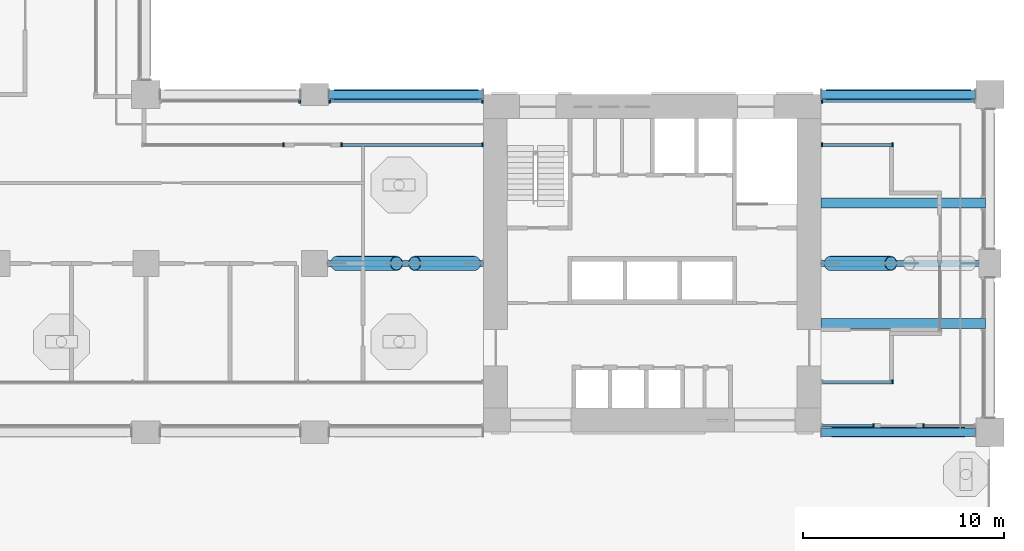
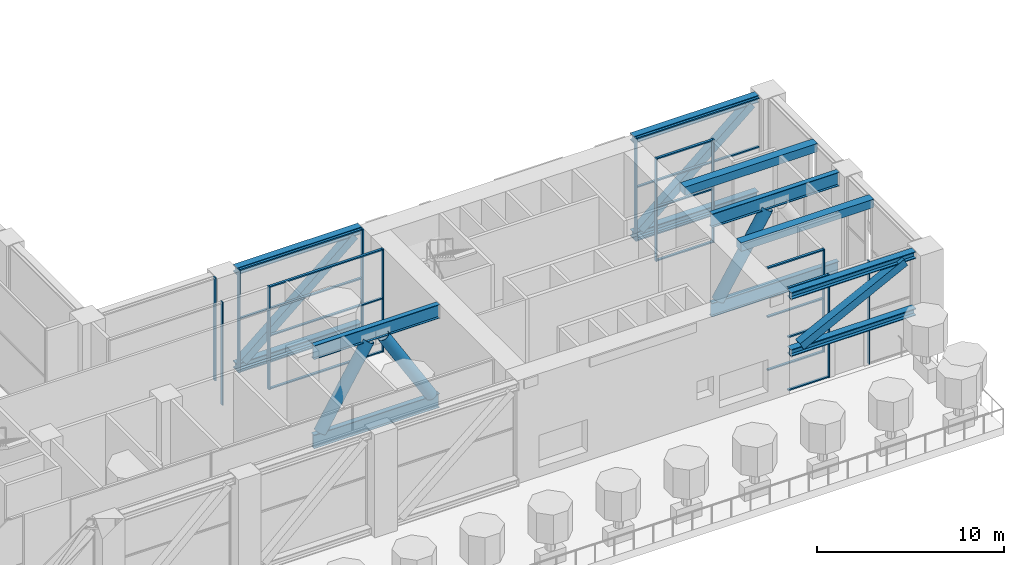
# One storey, part 4 of 28: 46 members, 2 beams, 9 elements without a shape of their own.
"""IFC4 building model written with IfcOpenShell, lengths in metres."""

from ifc_helpers import new_model, si_unit, direction, frame, origin, origin_2d, place, context, subcontext, project, spatial, rectangle, hollow_rectangle, hollow_circle, i_section, extrude, material, material_profile, profile_set, type_object, element, aggregate, save


model = new_model("IFC4")

# Units and contexts
model_context = context("Model", 3, precision=1e-05, world=origin(), true_north=direction((0.0, 1.0)))
body_context = subcontext(model_context, "Body", "Model", "MODEL_VIEW")
ifc_project = project(units=[si_unit("LENGTHUNIT", "METRE"), si_unit("AREAUNIT", "SQUARE_METRE"), si_unit("VOLUMEUNIT", "CUBIC_METRE"), si_unit("PLANEANGLEUNIT", "RADIAN"), si_unit("MASSUNIT", "GRAM", prefix="KILO")], contexts=[model_context])

# Site, building, storey
site_placement = place(None, origin())
site = spatial("IfcSite", under=ifc_project, at=site_placement, CompositionType="ELEMENT")
building_placement = place(site_placement, origin())
building = spatial("IfcBuilding", under=site, at=building_placement, Name="Vermilion Gate Residences", CompositionType="ELEMENT")
storey_placement = place(building_placement, frame((0.0, 0.0, 74.199951171875)))
storey = spatial("IfcBuildingStorey", under=building, at=storey_placement, Name="L18", CompositionType="ELEMENT", Elevation=74.199951171875)

# Beams
ifc_material_1 = material(Name="Concrete C60", Category="concrete")
ifc_material_profile_1 = material_profile(ifc_material_1, rectangle(XDim=0.5, YDim=0.550048828125, at=origin_2d()), Name="RC-500x550")
ifc_profile_set_1 = profile_set([ifc_material_profile_1], Name="Concrete C60")
beam_type = type_object("IfcBeamType", Name="RC WING BEAM 500 X 550 C60", PredefinedType="BEAM", material=ifc_profile_set_1)
for number, where, z_axis, x_axis, name in (
    (1, (58.800048828125, 13.800048828125, 6.445068359375), (1.0, 0.0, 0.0), (0.0, 1.0, 0.0), "Wing-end beam L18 1"),
    (2, (58.800048828125, 19.800048828125, 6.445068359375), (1.0, 0.0, 0.0), (0.0, 1.0, 0.0), "Wing-end beam L18 2"),
):
    element("IfcBeam", number, at=place(storey_placement, frame(where, z_axis=z_axis, x_axis=x_axis)), inside=storey, type_object=beam_type, Name=name, PredefinedType="BEAM", context=body_context, shape_type="SweptSolid", body=[
        extrude(rectangle(XDim=0.5, YDim=0.550048828125, at=origin_2d()), origin(), (0.0, 0.0, 1.0), 8.19140625),
    ])

# Curtain wall, member
ifc_material_2 = material(Name="Aluminium and glass", Category="aluminium")
curtain_wall_type = type_object("IfcCurtainWallType", Name="SKY GARDEN GLAZING CURTAIN WALL", PredefinedType="NOTDEFINED", material=ifc_material_2)
curtain_wall_1_placement = place(storey_placement, origin())
curtain_wall_1 = element("IfcCurtainWall", 3, at=curtain_wall_1_placement, inside=storey, type_object=curtain_wall_type, Name="Sky Garden Glazing 70", PredefinedType="NOTDEFINED")
ifc_material_3 = material(Name="Aluminium", Category="aluminium")
ifc_material_profile_2 = material_profile(ifc_material_3, rectangle(XDim=0.199951171875, YDim=0.080078125, at=origin_2d()), Name="MULLION 80 X 200")
ifc_profile_set_2 = profile_set([ifc_material_profile_2], Name="Aluminium")
member_type_1 = type_object("IfcMemberType", Name="SKY GARDEN GLAZING MULLION 80 X 200", PredefinedType="MULLION", material=ifc_profile_set_2)
member_1_placement = place(storey_placement, frame((62.360107421875, 10.89990234375, 0.0), z_axis=(0.0, 0.0, 1.0), x_axis=(0.0, 1.0, 0.0)))
member_1 = element("IfcMember", 4, at=member_1_placement, type_object=member_type_1, Name="ECW3 mullion 2", PredefinedType="MULLION", context=body_context, shape_type="SweptSolid", body=[
    extrude(rectangle(XDim=0.199951171875, YDim=0.080078125, at=origin_2d()), origin(), (0.0, 0.0, 1.0), 6.719970703125),
])

# Curtain wall, members
curtain_wall_2_placement = place(storey_placement, origin())
curtain_wall_2 = element("IfcCurtainWall", 5, at=curtain_wall_2_placement, inside=storey, type_object=curtain_wall_type, Name="Sky Garden Glazing 130", PredefinedType="NOTDEFINED")
member_2_placement = place(storey_placement, frame((62.360107421875, 22.699951171875, 0.0), z_axis=(0.0, 0.0, 1.0), x_axis=(0.0, -1.0, 0.0)))
member_2 = element("IfcMember", 6, at=member_2_placement, type_object=member_type_1, Name="ECW3 mullion 1", PredefinedType="MULLION", context=body_context, shape_type="SweptSolid", body=[
    extrude(rectangle(XDim=0.199951171875, YDim=0.080078125, at=origin_2d()), origin(), (0.0, 0.0, 1.0), 6.719970703125),
])
member_3_placement = place(storey_placement, frame((58.840087890625, 22.699951171875, 0.0), z_axis=(0.0, 0.0, 1.0), x_axis=(0.0, -1.0, 0.0)))
member_3 = element("IfcMember", 7, at=member_3_placement, type_object=member_type_1, Name="ECW3 mullion 2", PredefinedType="MULLION", context=body_context, shape_type="SweptSolid", body=[
    extrude(rectangle(XDim=0.199951171875, YDim=0.080078125, at=origin_2d()), origin(), (0.0, 0.0, 1.0), 6.719970703125),
])

curtain_wall_3_placement = place(storey_placement, origin())
curtain_wall_3 = element("IfcCurtainWall", 8, at=curtain_wall_3_placement, inside=storey, type_object=curtain_wall_type, Name="Sky Garden Glazing 140", PredefinedType="NOTDEFINED")
member_4_placement = place(storey_placement, frame((41.9599609375, 22.699951171875, 0.0), z_axis=(0.0, 0.0, 1.0), x_axis=(0.0, -1.0, 0.0)))
member_4 = element("IfcMember", 9, at=member_4_placement, type_object=member_type_1, Name="ECW3 mullion 1", PredefinedType="MULLION", context=body_context, shape_type="SweptSolid", body=[
    extrude(rectangle(XDim=0.199951171875, YDim=0.080078125, at=origin_2d()), origin(), (0.0, 0.0, 1.0), 6.719970703125),
])
member_5_placement = place(storey_placement, frame((34.93994140625, 22.699951171875, 0.0), z_axis=(0.0, 0.0, 1.0), x_axis=(0.0, -1.0, 0.0)))
member_5 = element("IfcMember", 10, at=member_5_placement, type_object=member_type_1, Name="ECW3 mullion 2", PredefinedType="MULLION", context=body_context, shape_type="SweptSolid", body=[
    extrude(rectangle(XDim=0.199951171875, YDim=0.080078125, at=origin_2d()), origin(), (0.0, 0.0, 1.0), 6.719970703125),
])

# Curtain wall, member
curtain_wall_4_placement = place(storey_placement, origin())
curtain_wall_4 = element("IfcCurtainWall", 11, at=curtain_wall_4_placement, inside=storey, type_object=curtain_wall_type, Name="Sky Garden Glazing 142", PredefinedType="NOTDEFINED")
member_6_placement = place(storey_placement, frame((32.06005859375, 22.699951171875, 0.0), z_axis=(0.0, 0.0, 1.0), x_axis=(0.0, -1.0, 0.0)))
member_6 = element("IfcMember", 12, at=member_6_placement, type_object=member_type_1, Name="ECW3 mullion 1", PredefinedType="MULLION", context=body_context, shape_type="SweptSolid", body=[
    extrude(rectangle(XDim=0.199951171875, YDim=0.080078125, at=origin_2d()), origin(), (0.0, 0.0, 1.0), 6.719970703125),
])
aggregate(curtain_wall_4, [member_6])

curtain_wall_5_placement = place(storey_placement, origin())
curtain_wall_5 = element("IfcCurtainWall", 13, at=curtain_wall_5_placement, inside=storey, type_object=curtain_wall_type, Name="Sky Garden Glazing 810", PredefinedType="NOTDEFINED")
member_7_placement = place(storey_placement, frame((61.409912109375, 8.72998046875, 0.0), z_axis=(0.0, 0.0, 1.0), x_axis=(0.0, 1.0, 0.0)))
member_7 = element("IfcMember", 14, at=member_7_placement, type_object=member_type_1, Name="ECW3 mullion 2", PredefinedType="MULLION", context=body_context, shape_type="SweptSolid", body=[
    extrude(rectangle(XDim=0.199951171875, YDim=0.080078125, at=origin_2d()), origin(), (0.0, 0.0, 1.0), 6.719970703125),
])

curtain_wall_6_placement = place(storey_placement, origin())
curtain_wall_6 = element("IfcCurtainWall", 15, at=curtain_wall_6_placement, inside=storey, type_object=curtain_wall_type, Name="Sky Garden Glazing 812", PredefinedType="NOTDEFINED")
member_8_placement = place(storey_placement, frame((63.889892578125, 8.72998046875, 0.0), z_axis=(0.0, 0.0, 1.0), x_axis=(0.0, 1.0, 0.0)))
member_8 = element("IfcMember", 16, at=member_8_placement, type_object=member_type_1, Name="ECW3 mullion 1", PredefinedType="MULLION", context=body_context, shape_type="SweptSolid", body=[
    extrude(rectangle(XDim=0.199951171875, YDim=0.080078125, at=origin_2d()), origin(), (0.0, 0.0, 1.0), 6.719970703125),
])
aggregate(curtain_wall_6, [member_8])

curtain_wall_7_placement = place(storey_placement, origin())
curtain_wall_7 = element("IfcCurtainWall", 17, at=curtain_wall_7_placement, inside=storey, type_object=curtain_wall_type, Name="Sky Garden Glazing 516", PredefinedType="NOTDEFINED")
member_9_placement = place(storey_placement, frame((58.840087890625, 24.8701171875, 0.0), z_axis=(0.0, 0.0, 1.0), x_axis=(0.0, -1.0, 0.0)))
member_9 = element("IfcMember", 18, at=member_9_placement, type_object=member_type_1, Name="ECW3 mullion 2", PredefinedType="MULLION", context=body_context, shape_type="SweptSolid", body=[
    extrude(rectangle(XDim=0.199951171875, YDim=0.080078125, at=origin_2d()), origin(), (0.0, 0.0, 1.0), 6.719970703125),
])

# Curtain wall, members
curtain_wall_8_placement = place(storey_placement, origin())
curtain_wall_8 = element("IfcCurtainWall", 19, at=curtain_wall_8_placement, inside=storey, type_object=curtain_wall_type, Name="Sky Garden Glazing 517", PredefinedType="NOTDEFINED")
member_10_placement = place(storey_placement, frame((41.9599609375, 24.8701171875, 0.0), z_axis=(0.0, 0.0, 1.0), x_axis=(0.0, -1.0, 0.0)))
member_10 = element("IfcMember", 20, at=member_10_placement, type_object=member_type_1, Name="ECW3 mullion 1", PredefinedType="MULLION", context=body_context, shape_type="SweptSolid", body=[
    extrude(rectangle(XDim=0.199951171875, YDim=0.080078125, at=origin_2d()), origin(), (0.0, 0.0, 1.0), 6.719970703125),
])
member_11_placement = place(storey_placement, frame((34.340087890625, 24.8701171875, 0.0), z_axis=(0.0, 0.0, 1.0), x_axis=(0.0, -1.0, 0.0)))
member_11 = element("IfcMember", 21, at=member_11_placement, type_object=member_type_1, Name="ECW3 mullion 2", PredefinedType="MULLION", context=body_context, shape_type="SweptSolid", body=[
    extrude(rectangle(XDim=0.199951171875, YDim=0.080078125, at=origin_2d()), origin(), (0.0, 0.0, 1.0), 6.719970703125),
])

# Curtain wall, member
curtain_wall_9_placement = place(storey_placement, origin())
curtain_wall_9 = element("IfcCurtainWall", 22, at=curtain_wall_9_placement, inside=storey, type_object=curtain_wall_type, Name="Sky Garden Glazing 518", PredefinedType="NOTDEFINED")
member_12_placement = place(storey_placement, frame((32.860107421875, 24.8701171875, 0.0), z_axis=(0.0, 0.0, 1.0), x_axis=(0.0, -1.0, 0.0)))
member_12 = element("IfcMember", 23, at=member_12_placement, type_object=member_type_1, Name="ECW3 mullion 1", PredefinedType="MULLION", context=body_context, shape_type="SweptSolid", body=[
    extrude(rectangle(XDim=0.199951171875, YDim=0.080078125, at=origin_2d()), origin(), (0.0, 0.0, 1.0), 6.719970703125),
])
aggregate(curtain_wall_9, [member_12])

# Member
ifc_material_4 = material(Name="Aluminium", Category="aluminium")
ifc_material_profile_3 = material_profile(ifc_material_4, rectangle(XDim=0.14990234375, YDim=0.080078125, at=origin_2d()), Name="TRANSOM 80 X 150")
ifc_profile_set_3 = profile_set([ifc_material_profile_3], Name="Aluminium")
member_type_2 = type_object("IfcMemberType", Name="SKY GARDEN GLAZING TRANSOM 80 X 150", PredefinedType="MULLION", material=ifc_profile_set_3)
member_13_placement = place(storey_placement, frame((58.8798828125, 10.89990234375, 0.0400390625), z_axis=(1.0, 0.0, 0.0), x_axis=(0.0, 1.0, 0.0)))
member_13 = element("IfcMember", 24, at=member_13_placement, type_object=member_type_2, Name="ECW3 transom 1.1", PredefinedType="MULLION", context=body_context, shape_type="SweptSolid", body=[
    extrude(rectangle(XDim=0.14990234375, YDim=0.080078125, at=origin_2d()), origin(), (0.0, 0.0, 1.0), 3.440185546875),
])

member_14_placement = place(storey_placement, frame((58.8798828125, 10.89990234375, 3.5), z_axis=(1.0, 0.0, 0.0), x_axis=(0.0, 1.0, 0.0)))
member_14 = element("IfcMember", 25, at=member_14_placement, type_object=member_type_2, Name="ECW3 transom 1.2", PredefinedType="MULLION", context=body_context, shape_type="SweptSolid", body=[
    extrude(rectangle(XDim=0.14990234375, YDim=0.080078125, at=origin_2d()), origin(), (0.0, 0.0, 1.0), 3.440185546875),
])

member_15_placement = place(storey_placement, frame((58.8798828125, 10.89990234375, 6.679931640625), z_axis=(1.0, 0.0, 0.0), x_axis=(0.0, 1.0, 0.0)))
member_15 = element("IfcMember", 26, at=member_15_placement, type_object=member_type_2, Name="ECW3 transom 1.3", PredefinedType="MULLION", context=body_context, shape_type="SweptSolid", body=[
    extrude(rectangle(XDim=0.14990234375, YDim=0.080078125, at=origin_2d()), origin(), (0.0, 0.0, 1.0), 3.440185546875),
])

aggregate(curtain_wall_1, [member_1, member_13, member_14, member_15])

member_16_placement = place(storey_placement, frame((62.320068359375, 22.699951171875, 0.0400390625), z_axis=(-1.0, 0.0, 0.0), x_axis=(0.0, -1.0, 0.0)))
member_16 = element("IfcMember", 27, at=member_16_placement, type_object=member_type_2, Name="ECW3 transom 1.1", PredefinedType="MULLION", context=body_context, shape_type="SweptSolid", body=[
    extrude(rectangle(XDim=0.14990234375, YDim=0.080078125, at=origin_2d()), origin(), (0.0, 0.0, 1.0), 3.440185546875),
])

member_17_placement = place(storey_placement, frame((62.320068359375, 22.699951171875, 3.5), z_axis=(-1.0, 0.0, 0.0), x_axis=(0.0, -1.0, 0.0)))
member_17 = element("IfcMember", 28, at=member_17_placement, type_object=member_type_2, Name="ECW3 transom 1.2", PredefinedType="MULLION", context=body_context, shape_type="SweptSolid", body=[
    extrude(rectangle(XDim=0.14990234375, YDim=0.080078125, at=origin_2d()), origin(), (0.0, 0.0, 1.0), 3.440185546875),
])

member_18_placement = place(storey_placement, frame((62.320068359375, 22.699951171875, 6.679931640625), z_axis=(-1.0, 0.0, 0.0), x_axis=(0.0, -1.0, 0.0)))
member_18 = element("IfcMember", 29, at=member_18_placement, type_object=member_type_2, Name="ECW3 transom 1.3", PredefinedType="MULLION", context=body_context, shape_type="SweptSolid", body=[
    extrude(rectangle(XDim=0.14990234375, YDim=0.080078125, at=origin_2d()), origin(), (0.0, 0.0, 1.0), 3.440185546875),
])

aggregate(curtain_wall_2, [member_2, member_3, member_16, member_17, member_18])

member_19_placement = place(storey_placement, frame((41.919921875, 22.699951171875, 0.0400390625), z_axis=(-1.0, 0.0, 0.0), x_axis=(0.0, -1.0, 0.0)))
member_19 = element("IfcMember", 30, at=member_19_placement, type_object=member_type_2, Name="ECW3 transom 1.1", PredefinedType="MULLION", context=body_context, shape_type="SweptSolid", body=[
    extrude(rectangle(XDim=0.14990234375, YDim=0.080078125, at=origin_2d()), origin(), (0.0, 0.0, 1.0), 6.93994140625),
])

member_20_placement = place(storey_placement, frame((41.919921875, 22.699951171875, 3.5), z_axis=(-1.0, 0.0, 0.0), x_axis=(0.0, -1.0, 0.0)))
member_20 = element("IfcMember", 31, at=member_20_placement, type_object=member_type_2, Name="ECW3 transom 1.2", PredefinedType="MULLION", context=body_context, shape_type="SweptSolid", body=[
    extrude(rectangle(XDim=0.14990234375, YDim=0.080078125, at=origin_2d()), origin(), (0.0, 0.0, 1.0), 6.93994140625),
])

member_21_placement = place(storey_placement, frame((41.919921875, 22.699951171875, 6.679931640625), z_axis=(-1.0, 0.0, 0.0), x_axis=(0.0, -1.0, 0.0)))
member_21 = element("IfcMember", 32, at=member_21_placement, type_object=member_type_2, Name="ECW3 transom 1.3", PredefinedType="MULLION", context=body_context, shape_type="SweptSolid", body=[
    extrude(rectangle(XDim=0.14990234375, YDim=0.080078125, at=origin_2d()), origin(), (0.0, 0.0, 1.0), 6.93994140625),
])

aggregate(curtain_wall_3, [member_4, member_5, member_19, member_20, member_21])

member_22_placement = place(storey_placement, frame((58.8798828125, 8.72998046875, 0.0400390625), z_axis=(1.0, 0.0, 0.0), x_axis=(0.0, 1.0, 0.0)))
member_22 = element("IfcMember", 33, at=member_22_placement, type_object=member_type_2, Name="ECW3 transom 1.1", PredefinedType="MULLION", context=body_context, shape_type="SweptSolid", body=[
    extrude(rectangle(XDim=0.14990234375, YDim=0.080078125, at=origin_2d()), origin(), (0.0, 0.0, 1.0), 2.490234375),
])

member_23_placement = place(storey_placement, frame((58.8798828125, 8.72998046875, 3.5), z_axis=(1.0, 0.0, 0.0), x_axis=(0.0, 1.0, 0.0)))
member_23 = element("IfcMember", 34, at=member_23_placement, type_object=member_type_2, Name="ECW3 transom 1.2", PredefinedType="MULLION", context=body_context, shape_type="SweptSolid", body=[
    extrude(rectangle(XDim=0.14990234375, YDim=0.080078125, at=origin_2d()), origin(), (0.0, 0.0, 1.0), 2.490234375),
])

member_24_placement = place(storey_placement, frame((58.8798828125, 8.72998046875, 6.679931640625), z_axis=(1.0, 0.0, 0.0), x_axis=(0.0, 1.0, 0.0)))
member_24 = element("IfcMember", 35, at=member_24_placement, type_object=member_type_2, Name="ECW3 transom 1.3", PredefinedType="MULLION", context=body_context, shape_type="SweptSolid", body=[
    extrude(rectangle(XDim=0.14990234375, YDim=0.080078125, at=origin_2d()), origin(), (0.0, 0.0, 1.0), 2.490234375),
])

aggregate(curtain_wall_5, [member_7, member_22, member_23, member_24])

member_25_placement = place(storey_placement, frame((66.419921875, 24.8701171875, 0.0400390625), z_axis=(-1.0, 0.0, 0.0), x_axis=(0.0, -1.0, 0.0)))
member_25 = element("IfcMember", 36, at=member_25_placement, type_object=member_type_2, Name="ECW3 transom 1.1", PredefinedType="MULLION", context=body_context, shape_type="SweptSolid", body=[
    extrude(rectangle(XDim=0.14990234375, YDim=0.080078125, at=origin_2d()), origin(), (0.0, 0.0, 1.0), 7.5400390625),
])

member_26_placement = place(storey_placement, frame((66.419921875, 24.8701171875, 3.5), z_axis=(-1.0, 0.0, 0.0), x_axis=(0.0, -1.0, 0.0)))
member_26 = element("IfcMember", 37, at=member_26_placement, type_object=member_type_2, Name="ECW3 transom 1.2", PredefinedType="MULLION", context=body_context, shape_type="SweptSolid", body=[
    extrude(rectangle(XDim=0.14990234375, YDim=0.080078125, at=origin_2d()), origin(), (0.0, 0.0, 1.0), 7.5400390625),
])

member_27_placement = place(storey_placement, frame((66.419921875, 24.8701171875, 6.679931640625), z_axis=(-1.0, 0.0, 0.0), x_axis=(0.0, -1.0, 0.0)))
member_27 = element("IfcMember", 38, at=member_27_placement, type_object=member_type_2, Name="ECW3 transom 1.3", PredefinedType="MULLION", context=body_context, shape_type="SweptSolid", body=[
    extrude(rectangle(XDim=0.14990234375, YDim=0.080078125, at=origin_2d()), origin(), (0.0, 0.0, 1.0), 7.5400390625),
])

aggregate(curtain_wall_7, [member_9, member_25, member_26, member_27])

member_28_placement = place(storey_placement, frame((41.919921875, 24.8701171875, 0.0400390625), z_axis=(-1.0, 0.0, 0.0), x_axis=(0.0, -1.0, 0.0)))
member_28 = element("IfcMember", 39, at=member_28_placement, type_object=member_type_2, Name="ECW3 transom 1.1", PredefinedType="MULLION", context=body_context, shape_type="SweptSolid", body=[
    extrude(rectangle(XDim=0.14990234375, YDim=0.080078125, at=origin_2d()), origin(), (0.0, 0.0, 1.0), 7.5400390625),
])

member_29_placement = place(storey_placement, frame((41.919921875, 24.8701171875, 3.5), z_axis=(-1.0, 0.0, 0.0), x_axis=(0.0, -1.0, 0.0)))
member_29 = element("IfcMember", 40, at=member_29_placement, type_object=member_type_2, Name="ECW3 transom 1.2", PredefinedType="MULLION", context=body_context, shape_type="SweptSolid", body=[
    extrude(rectangle(XDim=0.14990234375, YDim=0.080078125, at=origin_2d()), origin(), (0.0, 0.0, 1.0), 7.5400390625),
])

member_30_placement = place(storey_placement, frame((41.919921875, 24.8701171875, 6.679931640625), z_axis=(-1.0, 0.0, 0.0), x_axis=(0.0, -1.0, 0.0)))
member_30 = element("IfcMember", 41, at=member_30_placement, type_object=member_type_2, Name="ECW3 transom 1.3", PredefinedType="MULLION", context=body_context, shape_type="SweptSolid", body=[
    extrude(rectangle(XDim=0.14990234375, YDim=0.080078125, at=origin_2d()), origin(), (0.0, 0.0, 1.0), 7.5400390625),
])

aggregate(curtain_wall_8, [member_10, member_11, member_28, member_29, member_30])

# Members
ifc_material_5 = material(Name="Steel SM490", Category="steel")
ifc_material_profile_4 = material_profile(ifc_material_5, i_section(OverallWidth=0.4169921875, OverallDepth=0.4580078125, WebThickness=0.030029296875, FlangeThickness=0.050048828125, at=origin_2d()), Name="H-458x417x30x50")
ifc_profile_set_4 = profile_set([ifc_material_profile_4], Name="Steel SM490")
member_type_3 = type_object("IfcMemberType", Name="STEEL BELT TRUSS CHORD H-458x417x30x50 SM490", PredefinedType="CHORD", material=ifc_profile_set_4)
for number, where, z_axis, x_axis, name in (
    (42, (34.300048828125, 25.199951171875, 0.22900390625), (1.0, 0.0, 0.0), (0.0, 1.0, 0.0), "Belt Truss chord bot L18 BELT16"),
    (43, (34.300048828125, 25.199951171875, 6.490966796875), (1.0, 0.0, 0.0), (0.0, 1.0, 0.0), "Belt Truss chord top L18 BELT16"),
    (44, (58.800048828125, 8.39990234375, 2.779052734375), (1.0, 0.0, 0.0), (0.0, 1.0, 0.0), "Belt Truss chord bot L18 BELT17"),
    (45, (58.800048828125, 8.39990234375, 6.490966796875), (1.0, 0.0, 0.0), (0.0, 1.0, 0.0), "Belt Truss chord top L18 BELT17"),
    (46, (58.800048828125, 25.199951171875, 0.22900390625), (1.0, 0.0, 0.0), (0.0, 1.0, 0.0), "Belt Truss chord bot L18 BELT20"),
    (47, (58.800048828125, 25.199951171875, 6.490966796875), (1.0, 0.0, 0.0), (0.0, 1.0, 0.0), "Belt Truss chord top L18 BELT20"),
):
    element("IfcMember", number, at=place(storey_placement, frame(where, z_axis=z_axis, x_axis=x_axis)), inside=storey, type_object=member_type_3, Name=name, PredefinedType="CHORD", context=body_context, shape_type="SweptSolid", body=[
        extrude(i_section(OverallWidth=0.4169921875, OverallDepth=0.4580078125, WebThickness=0.030029296875, FlangeThickness=0.050048828125, at=origin_2d()), origin(), (0.0, 0.0, 1.0), 7.699951171875),
    ])
ifc_material_6 = material(Name="Steel SM490", Category="steel")
ifc_material_profile_5 = material_profile(ifc_material_6, hollow_rectangle(XDim=0.5, YDim=0.5, WallThickness=0.02197265625, at=origin_2d()), Name="BOX-500x500x22")
ifc_profile_set_5 = profile_set([ifc_material_profile_5], Name="Steel SM490")
member_type_4 = type_object("IfcMemberType", Name="STEEL BELT TRUSS DIAGONAL BOX-500x500x22 SM490", PredefinedType="BRACE", material=ifc_profile_set_5)
member_31_placement = place(storey_placement, frame((34.71533203125, 25.199951171875, 0.4580078125), z_axis=(0.763857704741, 0.0, 0.645384696834), x_axis=(0.0, 1.0, 0.0)))
element("IfcMember", 48, at=member_31_placement, inside=storey, type_object=member_type_4, Name="Belt Truss diagonal L18 BELT16-1", PredefinedType="BRACE", context=body_context, shape_type="SweptSolid", body=[
    extrude(hollow_rectangle(XDim=0.5, YDim=0.5, WallThickness=0.02197265625, at=origin_2d()), origin(), (0.0, 0.0, 1.0), 8.992919921875),
])
member_32_placement = place(storey_placement, frame((59.442138671875, 8.39990234375, 3.008056640625), z_axis=(0.891846688687, 0.0, 0.452337798418), x_axis=(0.0, 1.0, 0.0)))
element("IfcMember", 49, at=member_32_placement, inside=storey, type_object=member_type_4, Name="Belt Truss diagonal L18 BELT17-1", PredefinedType="BRACE", context=body_context, shape_type="SweptSolid", body=[
    extrude(hollow_rectangle(XDim=0.5, YDim=0.5, WallThickness=0.02197265625, at=origin_2d()), origin(), (0.0, 0.0, 1.0), 7.193603515625),
])
member_33_placement = place(storey_placement, frame((59.21533203125, 25.199951171875, 0.4580078125), z_axis=(0.763857704741, 0.0, 0.645384696834), x_axis=(0.0, 1.0, 0.0)))
element("IfcMember", 50, at=member_33_placement, inside=storey, type_object=member_type_4, Name="Belt Truss diagonal L18 BELT20-1", PredefinedType="BRACE", context=body_context, shape_type="SweptSolid", body=[
    extrude(hollow_rectangle(XDim=0.5, YDim=0.5, WallThickness=0.02197265625, at=origin_2d()), origin(), (0.0, 0.0, 1.0), 8.992919921875),
])
ifc_material_7 = material(Name="Steel SM490", Category="steel")
ifc_material_profile_6 = material_profile(ifc_material_7, i_section(OverallWidth=0.300048828125, OverallDepth=0.89990234375, WebThickness=0.01611328125, FlangeThickness=0.028076171875, at=origin_2d()), Name="H-900x300x16x28")
ifc_profile_set_6 = profile_set([ifc_material_profile_6], Name="Steel SM490")
member_type_5 = type_object("IfcMemberType", Name="STEEL OUTRIGGER TRUSS CHORD H-900x300x16x28 SM490", PredefinedType="CHORD", material=ifc_profile_set_6)
for number, where, z_axis, x_axis, name in (
    (51, (42.0, 16.800048828125, 0.449951171875), (-1.0, 0.0, 0.0), (0.0, -1.0, 0.0), "Outrigger Truss chord bot L18 OUT1"),
    (52, (42.0, 16.800048828125, 6.27001953125), (-1.0, 0.0, 0.0), (0.0, -1.0, 0.0), "Outrigger Truss chord top L18 OUT1"),
):
    element("IfcMember", number, at=place(storey_placement, frame(where, z_axis=z_axis, x_axis=x_axis)), inside=storey, type_object=member_type_5, Name=name, PredefinedType="CHORD", context=body_context, shape_type="SweptSolid", body=[
        extrude(i_section(OverallWidth=0.300048828125, OverallDepth=0.89990234375, WebThickness=0.01611328125, FlangeThickness=0.028076171875, at=origin_2d()), origin(), (0.0, 0.0, 1.0), 7.75),
    ])
for number, where, z_axis, x_axis, name in (
    (53, (58.800048828125, 16.800048828125, 0.449951171875), (1.0, 0.0, 0.0), (0.0, 1.0, 0.0), "Outrigger Truss chord bot L18 OUT2"),
    (54, (58.800048828125, 16.800048828125, 6.27001953125), (1.0, 0.0, 0.0), (0.0, 1.0, 0.0), "Outrigger Truss chord top L18 OUT2"),
):
    element("IfcMember", number, at=place(storey_placement, frame(where, z_axis=z_axis, x_axis=x_axis)), inside=storey, type_object=member_type_5, Name=name, PredefinedType="CHORD", context=body_context, shape_type="SweptSolid", body=[
        extrude(i_section(OverallWidth=0.300048828125, OverallDepth=0.89990234375, WebThickness=0.01611328125, FlangeThickness=0.028076171875, at=origin_2d()), origin(), (0.0, 0.0, 1.0), 7.849853515625),
    ])
ifc_material_8 = material(Name="Steel SM490", Category="steel")
ifc_material_profile_7 = material_profile(ifc_material_8, hollow_circle(Radius=0.355712890625, WallThickness=0.025390625, at=origin_2d()), Name="CHS-711.2x25.4")
ifc_profile_set_7 = profile_set([ifc_material_profile_7], Name="Steel SM490")
member_type_6 = type_object("IfcMemberType", Name="STEEL OUTRIGGER TRUSS DIAGONAL CHS-711.2x25.4 SM490", PredefinedType="BRACE", material=ifc_profile_set_7)
for number, where, z_axis, x_axis, name in (
    (55, (41.54736328125, 16.800048828125, 0.900146484375), (-0.516768057432, 0.0, 0.856125443389), (0.0, -1.0, 0.0), "Outrigger Truss diagonal L18 OUT1-1"),
    (56, (37.67236328125, 16.800048828125, 5.820068359375), (-0.516768057432, 0.0, -0.856125443389), (0.0, -1.0, 0.0), "Outrigger Truss diagonal L18 OUT1-2"),
):
    element("IfcMember", number, at=place(storey_placement, frame(where, z_axis=z_axis, x_axis=x_axis)), inside=storey, type_object=member_type_6, Name=name, PredefinedType="BRACE", context=body_context, shape_type="SweptSolid", body=[
        extrude(hollow_circle(Radius=0.355712890625, WallThickness=0.025390625, at=origin_2d()), origin(), (0.0, 0.0, 1.0), 5.746826171875),
    ])
member_34_placement = place(storey_placement, frame((59.2548828125, 16.800048828125, 0.900146484375), z_axis=(0.522524356371, 0.0, 0.852624358671), x_axis=(0.0, 1.0, 0.0)))
element("IfcMember", 57, at=member_34_placement, inside=storey, type_object=member_type_6, Name="Outrigger Truss diagonal L18 OUT2-1", PredefinedType="BRACE", context=body_context, shape_type="SweptSolid", body=[
    extrude(hollow_circle(Radius=0.355712890625, WallThickness=0.025390625, at=origin_2d()), origin(), (0.0, 0.0, 1.0), 5.770263671875),
])

save(model, "model.ifc")
